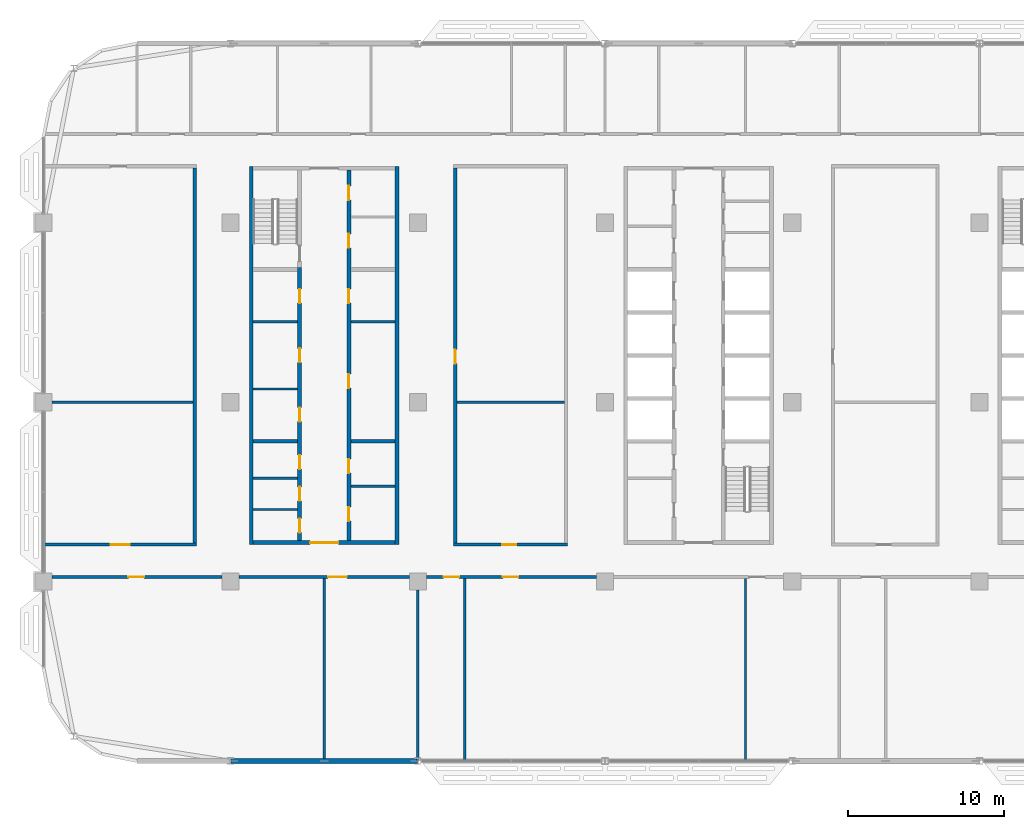
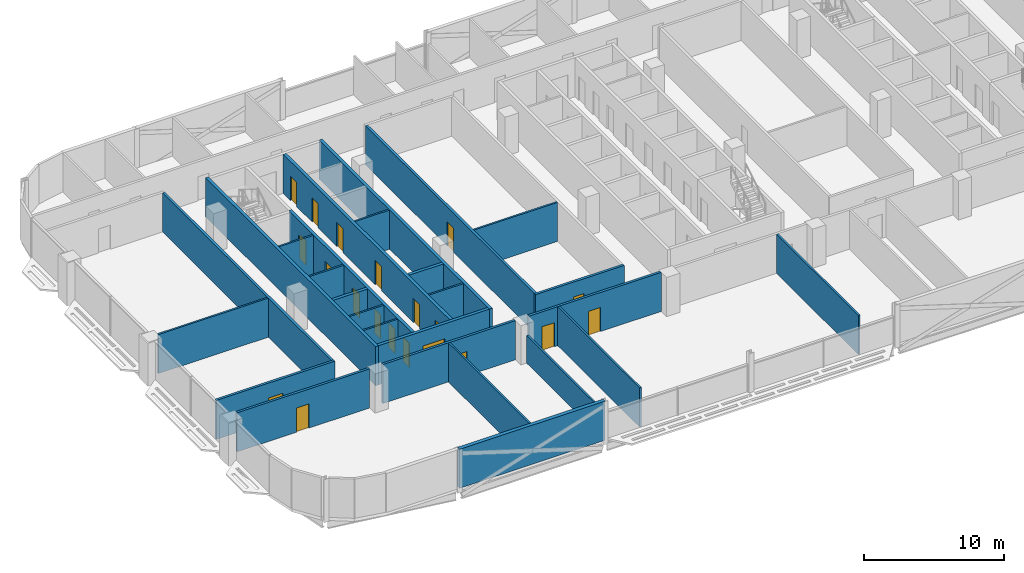
# One storey, part 13 of 30: 27 walls, 20 doors, 20 openings.
"""IFC4 building model written with IfcOpenShell, lengths in metres."""

from ifc_helpers import new_model, si_unit, direction, frame, frame_2d, origin, place, context, subcontext, project, spatial, rectangle, extrude, material, layer, layer_set, type_object, element, fill, save


model = new_model("IFC4")

# Units and contexts
model_context = context("Model", 3, precision=1e-05, world=origin(), true_north=direction((0.0, 1.0)))
body_context = subcontext(model_context, "Body", "Model", "MODEL_VIEW")
ifc_project = project(units=[si_unit("LENGTHUNIT", "METRE"), si_unit("AREAUNIT", "SQUARE_METRE"), si_unit("VOLUMEUNIT", "CUBIC_METRE"), si_unit("PLANEANGLEUNIT", "RADIAN"), si_unit("MASSUNIT", "GRAM", prefix="KILO")], contexts=[model_context])

# Site, building, storey
site_placement = place(None, origin())
site = spatial("IfcSite", under=ifc_project, at=site_placement, CompositionType="ELEMENT")
building_placement = place(site_placement, origin())
building = spatial("IfcBuilding", under=site, at=building_placement, Name="Mahtab Terrace Research Tower", CompositionType="ELEMENT")
storey_placement = place(building_placement, frame((0.0, 0.0, 220.5)))
storey = spatial("IfcBuildingStorey", under=building, at=storey_placement, Name="L53", CompositionType="ELEMENT", Elevation=220.5)

# Walls
ifc_material_1 = material(Name="Gypsum board partition")
ifc_layer_1 = layer(ifc_material_1, 0.14990234375)
ifc_layer_set_1 = layer_set([ifc_layer_1], Name="Core partition 150")
wall_type_1 = type_object("IfcWallType", Name="Core partition 150", PredefinedType="PARTITIONING", material=ifc_layer_set_1)
for number, where, z_axis, x_axis, name in (
    (1, (-28.550048828125, 0.85009765625, 0.0), (0.0, 0.0, 1.0), (1.0, 0.0, 0.0), "Core wall A pWL-215"),
    (2, (-28.550048828125, 5.14990234375, 0.0), (0.0, 0.0, 1.0), (1.0, 0.0, 0.0), "Core wall A pWL215"),
    (3, (-22.300048828125, 5.14990234375, 0.0), (0.0, 0.0, 1.0), (1.0, 0.0, 0.0), "Core wall A pEL215"),
    (4, (-28.550048828125, -6.875, 0.0), (0.0, 0.0, 1.0), (1.0, 0.0, 0.0), "Core wall A pWS-988"),
    (5, (-28.550048828125, -4.875, 0.0), (0.0, 0.0, 1.0), (1.0, 0.0, 0.0), "Core wall A pWS-788"),
    (6, (-22.300048828125, -5.39501953125, 0.0), (0.0, 0.0, 1.0), (1.0, 0.0, 0.0), "Core wall A pES-840"),
):
    element("IfcWall", number, at=place(storey_placement, frame(where, z_axis=z_axis, x_axis=x_axis)), inside=storey, type_object=wall_type_1, Name=name, PredefinedType="PARTITIONING", context=body_context, shape_type="SweptSolid", body=[
        extrude(rectangle(XDim=2.85009765625, YDim=0.14990234375, at=frame_2d((1.425048828125, 0.0))), origin(), (0.0, 0.0, 1.0), 3.39990234375),
    ])
ifc_material_2 = material(Name="Concrete C70/85", Category="concrete")
ifc_layer_2 = layer(ifc_material_2, 0.25)
ifc_layer_set_2 = layer_set([ifc_layer_2], Name="Core wall 250")
wall_type_2 = type_object("IfcWallType", Name="Core wall 250", PredefinedType="SOLIDWALL", material=ifc_layer_set_2)
for number, where, z_axis, x_axis, name in (
    (7, (-28.675048828125, 15.125, 0.0), (0.0, 0.0, 1.0), (0.0, -1.0, 0.0), "Core wall A outerW"),
    (8, (-19.324951171875, -9.125, 0.0), (0.0, 0.0, 1.0), (0.0, 1.0, 0.0), "Core wall A outerE"),
):
    element("IfcWall", number, at=place(storey_placement, frame(where, z_axis=z_axis, x_axis=x_axis)), inside=storey, type_object=wall_type_2, Name=name, PredefinedType="SOLIDWALL", context=body_context, shape_type="SweptSolid", body=[
        extrude(rectangle(XDim=24.25, YDim=0.25, at=frame_2d((12.125, 0.0))), origin(), (0.0, 0.0, 1.0), 3.39990234375),
    ])

# Wall, opening, door
wall_1_placement = place(storey_placement, frame((-19.449951171875, -9.0, 0.0), z_axis=(0.0, 0.0, 1.0), x_axis=(-1.0, 0.0, 0.0)))
wall_1 = element("IfcWall", 9, at=wall_1_placement, inside=storey, type_object=wall_type_2, Name="Core wall A endS", PredefinedType="SOLIDWALL", context=body_context, shape_type="SweptSolid", body=[
    extrude(rectangle(XDim=9.10009765625, YDim=0.25, at=frame_2d((4.550048828125, 0.0))), origin(), (0.0, 0.0, 1.0), 3.39990234375),
])
opening_1_placement = place(wall_1_placement, frame((3.64990234375, 0.0, 0.0)))
opening_1 = element("IfcOpeningElement", 10, at=opening_1_placement, cuts=wall_1, Name="Opening A-S1", PredefinedType="OPENING", context=body_context, shape_type="SweptSolid", body=[
    extrude(rectangle(XDim=1.800048828125, YDim=2.10009765625, at=frame_2d((0.89990234375, 1.050048828125))), frame((0.0, 0.135009765625, 0.0), z_axis=(0.0, -1.0, 0.0), x_axis=(1.0, 0.0, 0.0)), (0.0, 0.0, 1.0), 0.27001953125),
])
ifc_material_3 = material(Name="Steel fire door", Category="steel")
door_type_1 = type_object("IfcDoorType", Name="Lobby double door 1800x2100 1 HR", OperationType="DOUBLE_DOOR_SINGLE_SWING", PredefinedType="DOOR", material=ifc_material_3)
door_1_placement = place(opening_1_placement, origin())
door_1 = element("IfcDoor", 11, at=door_1_placement, inside=storey, type_object=door_type_1, Name="Core entrance door A S", OperationType="DOUBLE_DOOR_SINGLE_SWING", OverallHeight=2.10009765625, OverallWidth=1.800048828125, PredefinedType="DOOR", context=body_context, shape_type="SweptSolid", body=[
    extrude(rectangle(XDim=1.800048828125, YDim=2.10009765625, at=frame_2d((0.89990234375, 1.050048828125))), frame((0.0, 0.02490234375, 0.0), z_axis=(0.0, -1.0, 0.0), x_axis=(1.0, 0.0, 0.0)), (0.0, 0.0, 1.0), 0.050048828125),
])
fill(opening_1, door_1)

# Wall, openings, doors
wall_2_placement = place(storey_placement, frame((-25.574951171875, -8.875, 0.0), z_axis=(0.0, 0.0, 1.0), x_axis=(0.0, 1.0, 0.0)))
wall_2 = element("IfcWall", 12, at=wall_2_placement, inside=storey, type_object=wall_type_2, Name="Core wall A innerWSL", PredefinedType="SOLIDWALL", context=body_context, shape_type="SweptSolid", body=[
    extrude(rectangle(XDim=17.5, YDim=0.25, at=frame_2d((8.75, 0.0))), origin(), (0.0, 0.0, 1.0), 3.39990234375),
])
opening_2_placement = place(wall_2_placement, frame((7.625, 0.0, 0.0)))
opening_2 = element("IfcOpeningElement", 13, at=opening_2_placement, cuts=wall_2, Name="Opening A-R1", PredefinedType="OPENING", context=body_context, shape_type="SweptSolid", body=[
    extrude(rectangle(XDim=0.89990234375, YDim=2.10009765625, at=frame_2d((0.449951171875, 1.050048828125))), frame((0.0, 0.135009765625, 0.0), z_axis=(0.0, -1.0, 0.0), x_axis=(1.0, 0.0, 0.0)), (0.0, 0.0, 1.0), 0.27001953125),
])
opening_3_placement = place(wall_2_placement, frame((11.425048828125, 0.0, 0.0)))
opening_3 = element("IfcOpeningElement", 14, at=opening_3_placement, cuts=wall_2, Name="Opening A-R2", PredefinedType="OPENING", context=body_context, shape_type="SweptSolid", body=[
    extrude(rectangle(XDim=0.89990234375, YDim=2.10009765625, at=frame_2d((0.449951171875, 1.050048828125))), frame((0.0, 0.135009765625, 0.0), z_axis=(0.0, -1.0, 0.0), x_axis=(1.0, 0.0, 0.0)), (0.0, 0.0, 1.0), 0.27001953125),
])
opening_4_placement = place(wall_2_placement, frame((15.22509765625, 0.0, 0.0)))
opening_4 = element("IfcOpeningElement", 15, at=opening_4_placement, cuts=wall_2, Name="Opening A-R3", PredefinedType="OPENING", context=body_context, shape_type="SweptSolid", body=[
    extrude(rectangle(XDim=0.89990234375, YDim=2.10009765625, at=frame_2d((0.449951171875, 1.050048828125))), frame((0.0, 0.135009765625, 0.0), z_axis=(0.0, -1.0, 0.0), x_axis=(1.0, 0.0, 0.0)), (0.0, 0.0, 1.0), 0.27001953125),
])
opening_5_placement = place(wall_2_placement, frame((0.512451171875, 0.0, 0.0)))
opening_5 = element("IfcOpeningElement", 16, at=opening_5_placement, cuts=wall_2, Name="Opening A-R6", PredefinedType="OPENING", context=body_context, shape_type="SweptSolid", body=[
    extrude(rectangle(XDim=0.89990234375, YDim=2.10009765625, at=frame_2d((0.449951171875, 1.050048828125))), frame((0.0, 0.135009765625, 0.0), z_axis=(0.0, -1.0, 0.0), x_axis=(1.0, 0.0, 0.0)), (0.0, 0.0, 1.0), 0.27001953125),
])
opening_6_placement = place(wall_2_placement, frame((2.550048828125, 0.0, 0.0)))
opening_6 = element("IfcOpeningElement", 17, at=opening_6_placement, cuts=wall_2, Name="Opening A-R7", PredefinedType="OPENING", context=body_context, shape_type="SweptSolid", body=[
    extrude(rectangle(XDim=0.89990234375, YDim=2.10009765625, at=frame_2d((0.449951171875, 1.050048828125))), frame((0.0, 0.135009765625, 0.0), z_axis=(0.0, -1.0, 0.0), x_axis=(1.0, 0.0, 0.0)), (0.0, 0.0, 1.0), 0.27001953125),
])
opening_7_placement = place(wall_2_placement, frame((4.58740234375, 0.0, 0.0)))
opening_7 = element("IfcOpeningElement", 18, at=opening_7_placement, cuts=wall_2, Name="Opening A-R8", PredefinedType="OPENING", context=body_context, shape_type="SweptSolid", body=[
    extrude(rectangle(XDim=0.89990234375, YDim=2.10009765625, at=frame_2d((0.449951171875, 1.050048828125))), frame((0.0, 0.135009765625, 0.0), z_axis=(0.0, -1.0, 0.0), x_axis=(1.0, 0.0, 0.0)), (0.0, 0.0, 1.0), 0.27001953125),
])
door_type_2 = type_object("IfcDoorType", Name="Room door 900x2100 1 HR", OperationType="NOTDEFINED", PredefinedType="DOOR", material=ifc_material_3)
door_2_placement = place(opening_2_placement, origin())
door_2 = element("IfcDoor", 19, at=door_2_placement, inside=storey, type_object=door_type_2, Name="Electrical room door", OperationType="SINGLE_SWING_LEFT", OverallHeight=2.10009765625, OverallWidth=0.89990234375, PredefinedType="DOOR", context=body_context, shape_type="SweptSolid", body=[
    extrude(rectangle(XDim=0.89990234375, YDim=2.10009765625, at=frame_2d((0.449951171875, 1.050048828125))), frame((0.0, 0.02490234375, 0.0), z_axis=(0.0, -1.0, 0.0), x_axis=(1.0, 0.0, 0.0)), (0.0, 0.0, 1.0), 0.050048828125),
])
fill(opening_2, door_2)
door_3_placement = place(opening_3_placement, origin())
door_3 = element("IfcDoor", 20, at=door_3_placement, inside=storey, type_object=door_type_2, Name="Pantry door", OperationType="SINGLE_SWING_RIGHT", OverallHeight=2.10009765625, OverallWidth=0.89990234375, PredefinedType="DOOR", context=body_context, shape_type="SweptSolid", body=[
    extrude(rectangle(XDim=0.89990234375, YDim=2.10009765625, at=frame_2d((0.449951171875, 1.050048828125))), frame((0.0, 0.02490234375, 0.0), z_axis=(0.0, -1.0, 0.0), x_axis=(1.0, 0.0, 0.0)), (0.0, 0.0, 1.0), 0.050048828125),
])
fill(opening_3, door_3)
door_4_placement = place(opening_4_placement, origin())
door_4 = element("IfcDoor", 21, at=door_4_placement, inside=storey, type_object=door_type_2, Name="Housekeeping store door", OperationType="SINGLE_SWING_LEFT", OverallHeight=2.10009765625, OverallWidth=0.89990234375, PredefinedType="DOOR", context=body_context, shape_type="SweptSolid", body=[
    extrude(rectangle(XDim=0.89990234375, YDim=2.10009765625, at=frame_2d((0.449951171875, 1.050048828125))), frame((0.0, 0.02490234375, 0.0), z_axis=(0.0, -1.0, 0.0), x_axis=(1.0, 0.0, 0.0)), (0.0, 0.0, 1.0), 0.050048828125),
])
fill(opening_4, door_4)
door_5_placement = place(opening_5_placement, origin())
door_5 = element("IfcDoor", 22, at=door_5_placement, inside=storey, type_object=door_type_2, Name="Male WC door", OperationType="SINGLE_SWING_RIGHT", OverallHeight=2.10009765625, OverallWidth=0.89990234375, PredefinedType="DOOR", context=body_context, shape_type="SweptSolid", body=[
    extrude(rectangle(XDim=0.89990234375, YDim=2.10009765625, at=frame_2d((0.449951171875, 1.050048828125))), frame((0.0, 0.02490234375, 0.0), z_axis=(0.0, -1.0, 0.0), x_axis=(1.0, 0.0, 0.0)), (0.0, 0.0, 1.0), 0.050048828125),
])
fill(opening_5, door_5)
door_6_placement = place(opening_6_placement, origin())
door_6 = element("IfcDoor", 23, at=door_6_placement, inside=storey, type_object=door_type_2, Name="Female WC door", OperationType="SINGLE_SWING_LEFT", OverallHeight=2.10009765625, OverallWidth=0.89990234375, PredefinedType="DOOR", context=body_context, shape_type="SweptSolid", body=[
    extrude(rectangle(XDim=0.89990234375, YDim=2.10009765625, at=frame_2d((0.449951171875, 1.050048828125))), frame((0.0, 0.02490234375, 0.0), z_axis=(0.0, -1.0, 0.0), x_axis=(1.0, 0.0, 0.0)), (0.0, 0.0, 1.0), 0.050048828125),
])
fill(opening_6, door_6)
door_7_placement = place(opening_7_placement, origin())
door_7 = element("IfcDoor", 24, at=door_7_placement, inside=storey, type_object=door_type_2, Name="Accessible WC door", OperationType="SINGLE_SWING_RIGHT", OverallHeight=2.10009765625, OverallWidth=0.89990234375, PredefinedType="DOOR", context=body_context, shape_type="SweptSolid", body=[
    extrude(rectangle(XDim=0.89990234375, YDim=2.10009765625, at=frame_2d((0.449951171875, 1.050048828125))), frame((0.0, 0.02490234375, 0.0), z_axis=(0.0, -1.0, 0.0), x_axis=(1.0, 0.0, 0.0)), (0.0, 0.0, 1.0), 0.050048828125),
])
fill(opening_7, door_7)

wall_3_placement = place(storey_placement, frame((-22.425048828125, 14.875, 0.0), z_axis=(0.0, 0.0, 1.0), x_axis=(0.0, -1.0, 0.0)))
wall_3 = element("IfcWall", 25, at=wall_3_placement, inside=storey, type_object=wall_type_2, Name="Core wall A innerESLN", PredefinedType="SOLIDWALL", context=body_context, shape_type="SweptSolid", body=[
    extrude(rectangle(XDim=23.75, YDim=0.25, at=frame_2d((11.875, 0.0))), origin(), (0.0, 0.0, 1.0), 3.39990234375),
])
opening_8_placement = place(wall_3_placement, frame((13.074951171875, 0.0, 0.0)))
opening_8 = element("IfcOpeningElement", 26, at=opening_8_placement, cuts=wall_3, Name="Opening A-R4", PredefinedType="OPENING", context=body_context, shape_type="SweptSolid", body=[
    extrude(rectangle(XDim=0.89990234375, YDim=2.10009765625, at=frame_2d((0.449951171875, 1.050048828125))), frame((0.0, 0.135009765625, 0.0), z_axis=(0.0, -1.0, 0.0), x_axis=(1.0, 0.0, 0.0)), (0.0, 0.0, 1.0), 0.27001953125),
])
opening_9_placement = place(wall_3_placement, frame((7.625, 0.0, 0.0)))
opening_9 = element("IfcOpeningElement", 27, at=opening_9_placement, cuts=wall_3, Name="Opening A-R5", PredefinedType="OPENING", context=body_context, shape_type="SweptSolid", body=[
    extrude(rectangle(XDim=0.89990234375, YDim=2.10009765625, at=frame_2d((0.449951171875, 1.050048828125))), frame((0.0, 0.135009765625, 0.0), z_axis=(0.0, -1.0, 0.0), x_axis=(1.0, 0.0, 0.0)), (0.0, 0.0, 1.0), 0.27001953125),
])
opening_10_placement = place(wall_3_placement, frame((21.597412109375, 0.0, 0.0)))
opening_10 = element("IfcOpeningElement", 28, at=opening_10_placement, cuts=wall_3, Name="Opening A-R9", PredefinedType="OPENING", context=body_context, shape_type="SweptSolid", body=[
    extrude(rectangle(XDim=0.89990234375, YDim=2.10009765625, at=frame_2d((0.449951171875, 1.050048828125))), frame((0.0, 0.135009765625, 0.0), z_axis=(0.0, -1.0, 0.0), x_axis=(1.0, 0.0, 0.0)), (0.0, 0.0, 1.0), 0.27001953125),
])
opening_11_placement = place(wall_3_placement, frame((18.5224609375, 0.0, 0.0)))
opening_11 = element("IfcOpeningElement", 29, at=opening_11_placement, cuts=wall_3, Name="Opening A-R10", PredefinedType="OPENING", context=body_context, shape_type="SweptSolid", body=[
    extrude(rectangle(XDim=0.89990234375, YDim=2.10009765625, at=frame_2d((0.449951171875, 1.050048828125))), frame((0.0, 0.135009765625, 0.0), z_axis=(0.0, -1.0, 0.0), x_axis=(1.0, 0.0, 0.0)), (0.0, 0.0, 1.0), 0.27001953125),
])
opening_12_placement = place(wall_3_placement, frame((4.08740234375, 0.0, 0.0)))
opening_12 = element("IfcOpeningElement", 30, at=opening_12_placement, cuts=wall_3, Name="Opening A-R11", PredefinedType="OPENING", context=body_context, shape_type="SweptSolid", body=[
    extrude(rectangle(XDim=0.89990234375, YDim=2.10009765625, at=frame_2d((0.449951171875, 1.050048828125))), frame((0.0, 0.135009765625, 0.0), z_axis=(0.0, -1.0, 0.0), x_axis=(1.0, 0.0, 0.0)), (0.0, 0.0, 1.0), 0.27001953125),
])
opening_13_placement = place(wall_3_placement, frame((1.012451171875, 0.0, 0.0)))
opening_13 = element("IfcOpeningElement", 31, at=opening_13_placement, cuts=wall_3, Name="Opening A-R12", PredefinedType="OPENING", context=body_context, shape_type="SweptSolid", body=[
    extrude(rectangle(XDim=0.89990234375, YDim=2.10009765625, at=frame_2d((0.449951171875, 1.050048828125))), frame((0.0, 0.135009765625, 0.0), z_axis=(0.0, -1.0, 0.0), x_axis=(1.0, 0.0, 0.0)), (0.0, 0.0, 1.0), 0.27001953125),
])
door_8_placement = place(opening_8_placement, origin())
door_8 = element("IfcDoor", 32, at=door_8_placement, inside=storey, type_object=door_type_2, Name="Chemical store door", OperationType="SINGLE_SWING_RIGHT", OverallHeight=2.10009765625, OverallWidth=0.89990234375, PredefinedType="DOOR", context=body_context, shape_type="SweptSolid", body=[
    extrude(rectangle(XDim=0.89990234375, YDim=2.10009765625, at=frame_2d((0.449951171875, 1.050048828125))), frame((0.0, 0.02490234375, 0.0), z_axis=(0.0, -1.0, 0.0), x_axis=(1.0, 0.0, 0.0)), (0.0, 0.0, 1.0), 0.050048828125),
])
fill(opening_8, door_8)
door_9_placement = place(opening_9_placement, origin())
door_9 = element("IfcDoor", 33, at=door_9_placement, inside=storey, type_object=door_type_2, Name="Waste room door", OperationType="SINGLE_SWING_LEFT", OverallHeight=2.10009765625, OverallWidth=0.89990234375, PredefinedType="DOOR", context=body_context, shape_type="SweptSolid", body=[
    extrude(rectangle(XDim=0.89990234375, YDim=2.10009765625, at=frame_2d((0.449951171875, 1.050048828125))), frame((0.0, 0.02490234375, 0.0), z_axis=(0.0, -1.0, 0.0), x_axis=(1.0, 0.0, 0.0)), (0.0, 0.0, 1.0), 0.050048828125),
])
fill(opening_9, door_9)
door_10_placement = place(opening_10_placement, origin())
door_10 = element("IfcDoor", 34, at=door_10_placement, inside=storey, type_object=door_type_2, Name="Pantry door", OperationType="SINGLE_SWING_LEFT", OverallHeight=2.10009765625, OverallWidth=0.89990234375, PredefinedType="DOOR", context=body_context, shape_type="SweptSolid", body=[
    extrude(rectangle(XDim=0.89990234375, YDim=2.10009765625, at=frame_2d((0.449951171875, 1.050048828125))), frame((0.0, 0.02490234375, 0.0), z_axis=(0.0, -1.0, 0.0), x_axis=(1.0, 0.0, 0.0)), (0.0, 0.0, 1.0), 0.050048828125),
])
fill(opening_10, door_10)
door_11_placement = place(opening_11_placement, origin())
door_11 = element("IfcDoor", 35, at=door_11_placement, inside=storey, type_object=door_type_2, Name="Linen store door", OperationType="SINGLE_SWING_RIGHT", OverallHeight=2.10009765625, OverallWidth=0.89990234375, PredefinedType="DOOR", context=body_context, shape_type="SweptSolid", body=[
    extrude(rectangle(XDim=0.89990234375, YDim=2.10009765625, at=frame_2d((0.449951171875, 1.050048828125))), frame((0.0, 0.02490234375, 0.0), z_axis=(0.0, -1.0, 0.0), x_axis=(1.0, 0.0, 0.0)), (0.0, 0.0, 1.0), 0.050048828125),
])
fill(opening_11, door_11)
door_12_placement = place(opening_12_placement, origin())
door_12 = element("IfcDoor", 36, at=door_12_placement, inside=storey, type_object=door_type_2, Name="Housekeeping store door", OperationType="SINGLE_SWING_LEFT", OverallHeight=2.10009765625, OverallWidth=0.89990234375, PredefinedType="DOOR", context=body_context, shape_type="SweptSolid", body=[
    extrude(rectangle(XDim=0.89990234375, YDim=2.10009765625, at=frame_2d((0.449951171875, 1.050048828125))), frame((0.0, 0.02490234375, 0.0), z_axis=(0.0, -1.0, 0.0), x_axis=(1.0, 0.0, 0.0)), (0.0, 0.0, 1.0), 0.050048828125),
])
fill(opening_12, door_12)
door_13_placement = place(opening_13_placement, origin())
door_13 = element("IfcDoor", 37, at=door_13_placement, inside=storey, type_object=door_type_2, Name="Electrical riser room door", OperationType="SINGLE_SWING_RIGHT", OverallHeight=2.10009765625, OverallWidth=0.89990234375, PredefinedType="DOOR", context=body_context, shape_type="SweptSolid", body=[
    extrude(rectangle(XDim=0.89990234375, YDim=2.10009765625, at=frame_2d((0.449951171875, 1.050048828125))), frame((0.0, 0.02490234375, 0.0), z_axis=(0.0, -1.0, 0.0), x_axis=(1.0, 0.0, 0.0)), (0.0, 0.0, 1.0), 0.050048828125),
])
fill(opening_13, door_13)

# Walls
for number, where, z_axis, x_axis, name in (
    (38, (-28.550048828125, -2.5, 0.0), (0.0, 0.0, 1.0), (1.0, 0.0, 0.0), "Core wall A divW0"),
    (39, (-22.300048828125, -2.5, 0.0), (0.0, 0.0, 1.0), (1.0, 0.0, 0.0), "Core wall A divE0"),
):
    element("IfcWall", number, at=place(storey_placement, frame(where, z_axis=z_axis, x_axis=x_axis)), inside=storey, type_object=wall_type_2, Name=name, PredefinedType="SOLIDWALL", context=body_context, shape_type="SweptSolid", body=[
        extrude(rectangle(XDim=2.85009765625, YDim=0.25, at=frame_2d((1.425048828125, 0.0))), origin(), (0.0, 0.0, 1.0), 3.39990234375),
    ])
ifc_material_4 = material(Name="Black aluminium cladding panel", Category="aluminium")
ifc_layer_3 = layer(ifc_material_4, 0.300048828125)
ifc_layer_set_3 = layer_set([ifc_layer_3], Name="Opaque facade wall 300")
wall_type_3 = type_object("IfcWallType", Name="Opaque facade wall 300", PredefinedType="NOTDEFINED", material=ifc_layer_set_3)
wall_4_placement = place(storey_placement, frame((-29.987548828125, -23.0, 0.0), z_axis=(0.0, 0.0, 1.0), x_axis=(1.0, 0.0, 0.0)))
element("IfcWall", 40, at=wall_4_placement, inside=storey, type_object=wall_type_3, Name="Opaque facade wall L53 S24", PredefinedType="NOTDEFINED", context=body_context, shape_type="SweptSolid", body=[
    extrude(rectangle(XDim=11.97509765625, YDim=0.300048828125, at=frame_2d((5.987548828125, 0.0))), origin(), (0.0, 0.0, 1.0), 3.39990234375),
])

# Wall, opening, door
ifc_material_5 = material(Name="Gypsum board corridor wall on steel studs", Category="steel")
ifc_layer_4 = layer(ifc_material_5, 0.199951171875)
ifc_layer_set_4 = layer_set([ifc_layer_4], Name="WALL CORRIDOR 200")
wall_type_4 = type_object("IfcWallType", Name="WALL CORRIDOR 200", PredefinedType="PARTITIONING", material=ifc_layer_set_4)
wall_5_placement = place(storey_placement, frame((-41.449951171875, -11.199951171875, 0.0), z_axis=(0.0, 0.0, 1.0), x_axis=(1.0, 0.0, 0.0)))
wall_5 = element("IfcWall", 41, at=wall_5_placement, inside=storey, type_object=wall_type_4, Name="L53-W001", PredefinedType="PARTITIONING", context=body_context, shape_type="SweptSolid", body=[
    extrude(rectangle(XDim=10.89990234375, YDim=0.199951171875, at=frame_2d((5.449951171875, 0.0))), origin(), (0.0, 0.0, 1.0), 3.39990234375),
])
opening_14_placement = place(wall_5_placement, frame((4.89990234375, 0.0, 0.0)))
opening_14 = element("IfcOpeningElement", 42, at=opening_14_placement, cuts=wall_5, Name="Opening L53-101", PredefinedType="OPENING", context=body_context, shape_type="SweptSolid", body=[
    extrude(rectangle(XDim=1.0, YDim=2.10009765625, at=frame_2d((0.5, 1.050048828125))), frame((0.0, 0.10986328125, 0.0), z_axis=(0.0, -1.0, 0.0), x_axis=(1.0, 0.0, 0.0)), (0.0, 0.0, 1.0), 0.219970703125),
])
ifc_material_6 = material(Name="Timber door leaf in steel frame", Category="steel")
door_type_3 = type_object("IfcDoorType", Name="DOOR 1000X2100 FD30S", OperationType="SINGLE_SWING_LEFT", PredefinedType="DOOR", material=ifc_material_6)
door_14_placement = place(opening_14_placement, origin())
door_14 = element("IfcDoor", 43, at=door_14_placement, inside=storey, type_object=door_type_3, Name="Door L53-101", OperationType="SINGLE_SWING_RIGHT", OverallHeight=2.10009765625, OverallWidth=1.0, PredefinedType="DOOR", context=body_context, shape_type="SweptSolid", body=[
    extrude(rectangle(XDim=1.0, YDim=2.10009765625, at=frame_2d((0.5, 1.050048828125))), frame((0.0, 0.02490234375, 0.0), z_axis=(0.0, -1.0, 0.0), x_axis=(1.0, 0.0, 0.0)), (0.0, 0.0, 1.0), 0.050048828125),
])
fill(opening_14, door_14)

wall_6_placement = place(storey_placement, frame((-29.449951171875, -11.199951171875, 0.0), z_axis=(0.0, 0.0, 1.0), x_axis=(1.0, 0.0, 0.0)))
wall_6 = element("IfcWall", 44, at=wall_6_placement, inside=storey, type_object=wall_type_4, Name="L53-W002", PredefinedType="PARTITIONING", context=body_context, shape_type="SweptSolid", body=[
    extrude(rectangle(XDim=10.89990234375, YDim=0.199951171875, at=frame_2d((5.449951171875, 0.0))), origin(), (0.0, 0.0, 1.0), 3.39990234375),
])
opening_15_placement = place(wall_6_placement, frame((5.699951171875, 0.0, 0.0)))
opening_15 = element("IfcOpeningElement", 45, at=opening_15_placement, cuts=wall_6, Name="Opening L53-102", PredefinedType="OPENING", context=body_context, shape_type="SweptSolid", body=[
    extrude(rectangle(XDim=1.199951171875, YDim=2.10009765625, at=frame_2d((0.60009765625, 1.050048828125))), frame((0.0, 0.10986328125, 0.0), z_axis=(0.0, -1.0, 0.0), x_axis=(1.0, 0.0, 0.0)), (0.0, 0.0, 1.0), 0.219970703125),
])
door_type_4 = type_object("IfcDoorType", Name="DOOR 1200X2100 FD30S", OperationType="SINGLE_SWING_LEFT", PredefinedType="DOOR", material=ifc_material_6)
door_15_placement = place(opening_15_placement, origin())
door_15 = element("IfcDoor", 46, at=door_15_placement, inside=storey, type_object=door_type_4, Name="Door L53-102", OperationType="SINGLE_SWING_LEFT", OverallHeight=2.10009765625, OverallWidth=1.199951171875, PredefinedType="DOOR", context=body_context, shape_type="SweptSolid", body=[
    extrude(rectangle(XDim=1.199951171875, YDim=2.10009765625, at=frame_2d((0.60009765625, 1.050048828125))), frame((0.0, 0.02490234375, 0.0), z_axis=(0.0, -1.0, 0.0), x_axis=(1.0, 0.0, 0.0)), (0.0, 0.0, 1.0), 0.050048828125),
])
fill(opening_15, door_15)

# Wall, openings, doors
wall_7_placement = place(storey_placement, frame((-17.449951171875, -11.199951171875, 0.0), z_axis=(0.0, 0.0, 1.0), x_axis=(1.0, 0.0, 0.0)))
wall_7 = element("IfcWall", 47, at=wall_7_placement, inside=storey, type_object=wall_type_4, Name="L53-W003", PredefinedType="PARTITIONING", context=body_context, shape_type="SweptSolid", body=[
    extrude(rectangle(XDim=10.89990234375, YDim=0.199951171875, at=frame_2d((5.449951171875, 0.0))), origin(), (0.0, 0.0, 1.0), 3.39990234375),
])
opening_16_placement = place(wall_7_placement, frame((1.10009765625, 0.0, 0.0)))
opening_16 = element("IfcOpeningElement", 48, at=opening_16_placement, cuts=wall_7, Name="Opening L53-103", PredefinedType="OPENING", context=body_context, shape_type="SweptSolid", body=[
    extrude(rectangle(XDim=1.0, YDim=2.10009765625, at=frame_2d((0.5, 1.050048828125))), frame((0.0, 0.10986328125, 0.0), z_axis=(0.0, -1.0, 0.0), x_axis=(1.0, 0.0, 0.0)), (0.0, 0.0, 1.0), 0.219970703125),
])
opening_17_placement = place(wall_7_placement, frame((4.89990234375, 0.0, 0.0)))
opening_17 = element("IfcOpeningElement", 49, at=opening_17_placement, cuts=wall_7, Name="Opening L53-104", PredefinedType="OPENING", context=body_context, shape_type="SweptSolid", body=[
    extrude(rectangle(XDim=1.0, YDim=2.10009765625, at=frame_2d((0.5, 1.050048828125))), frame((0.0, 0.10986328125, 0.0), z_axis=(0.0, -1.0, 0.0), x_axis=(1.0, 0.0, 0.0)), (0.0, 0.0, 1.0), 0.219970703125),
])
door_16_placement = place(opening_16_placement, origin())
door_16 = element("IfcDoor", 50, at=door_16_placement, inside=storey, type_object=door_type_3, Name="Door L53-103", OperationType="SINGLE_SWING_RIGHT", OverallHeight=2.10009765625, OverallWidth=1.0, PredefinedType="DOOR", context=body_context, shape_type="SweptSolid", body=[
    extrude(rectangle(XDim=1.0, YDim=2.10009765625, at=frame_2d((0.5, 1.050048828125))), frame((0.0, 0.02490234375, 0.0), z_axis=(0.0, -1.0, 0.0), x_axis=(1.0, 0.0, 0.0)), (0.0, 0.0, 1.0), 0.050048828125),
])
fill(opening_16, door_16)
door_17_placement = place(opening_17_placement, origin())
door_17 = element("IfcDoor", 51, at=door_17_placement, inside=storey, type_object=door_type_3, Name="Door L53-104", OperationType="SINGLE_SWING_RIGHT", OverallHeight=2.10009765625, OverallWidth=1.0, PredefinedType="DOOR", context=body_context, shape_type="SweptSolid", body=[
    extrude(rectangle(XDim=1.0, YDim=2.10009765625, at=frame_2d((0.5, 1.050048828125))), frame((0.0, 0.02490234375, 0.0), z_axis=(0.0, -1.0, 0.0), x_axis=(1.0, 0.0, 0.0)), (0.0, 0.0, 1.0), 0.050048828125),
])
fill(opening_17, door_17)

# Wall, opening, door
wall_8_placement = place(storey_placement, frame((-41.97509765625, -9.125, 0.0), z_axis=(0.0, 0.0, 1.0), x_axis=(1.0, 0.0, 0.0)))
wall_8 = element("IfcWall", 52, at=wall_8_placement, inside=storey, type_object=wall_type_4, Name="L53-W009", PredefinedType="PARTITIONING", context=body_context, shape_type="SweptSolid", body=[
    extrude(rectangle(XDim=9.775146484375, YDim=0.199951171875, at=frame_2d((4.8876953125, 0.0))), origin(), (0.0, 0.0, 1.0), 3.39990234375),
])
opening_18_placement = place(wall_8_placement, frame((4.300048828125, 0.0, 0.0)))
opening_18 = element("IfcOpeningElement", 53, at=opening_18_placement, cuts=wall_8, Name="Opening L53-111", PredefinedType="OPENING", context=body_context, shape_type="SweptSolid", body=[
    extrude(rectangle(XDim=1.199951171875, YDim=2.10009765625, at=frame_2d((0.60009765625, 1.050048828125))), frame((0.0, 0.10986328125, 0.0), z_axis=(0.0, -1.0, 0.0), x_axis=(1.0, 0.0, 0.0)), (0.0, 0.0, 1.0), 0.219970703125),
])
door_18_placement = place(opening_18_placement, origin())
door_18 = element("IfcDoor", 54, at=door_18_placement, inside=storey, type_object=door_type_4, Name="Door L53-111", OperationType="SINGLE_SWING_RIGHT", OverallHeight=2.10009765625, OverallWidth=1.199951171875, PredefinedType="DOOR", context=body_context, shape_type="SweptSolid", body=[
    extrude(rectangle(XDim=1.199951171875, YDim=2.10009765625, at=frame_2d((0.60009765625, 1.050048828125))), frame((0.0, 0.02490234375, 0.0), z_axis=(0.0, -1.0, 0.0), x_axis=(1.0, 0.0, 0.0)), (0.0, 0.0, 1.0), 0.050048828125),
])
fill(opening_18, door_18)

wall_9_placement = place(storey_placement, frame((-15.699951171875, -9.125, 0.0), z_axis=(0.0, 0.0, 1.0), x_axis=(1.0, 0.0, 0.0)))
wall_9 = element("IfcWall", 55, at=wall_9_placement, inside=storey, type_object=wall_type_4, Name="L53-W010", PredefinedType="PARTITIONING", context=body_context, shape_type="SweptSolid", body=[
    extrude(rectangle(XDim=7.300048828125, YDim=0.199951171875, at=frame_2d((3.64990234375, 0.0))), origin(), (0.0, 0.0, 1.0), 3.39990234375),
])
opening_19_placement = place(wall_9_placement, frame((3.10009765625, 0.0, 0.0)))
opening_19 = element("IfcOpeningElement", 56, at=opening_19_placement, cuts=wall_9, Name="Opening L53-112", PredefinedType="OPENING", context=body_context, shape_type="SweptSolid", body=[
    extrude(rectangle(XDim=0.89990234375, YDim=2.10009765625, at=frame_2d((0.449951171875, 1.050048828125))), frame((0.0, 0.10986328125, 0.0), z_axis=(0.0, -1.0, 0.0), x_axis=(1.0, 0.0, 0.0)), (0.0, 0.0, 1.0), 0.219970703125),
])
door_type_5 = type_object("IfcDoorType", Name="DOOR 0900X2100 FD30S", OperationType="SINGLE_SWING_LEFT", PredefinedType="DOOR", material=ifc_material_6)
door_19_placement = place(opening_19_placement, origin())
door_19 = element("IfcDoor", 57, at=door_19_placement, inside=storey, type_object=door_type_5, Name="Door L53-112", OperationType="SINGLE_SWING_LEFT", OverallHeight=2.10009765625, OverallWidth=0.89990234375, PredefinedType="DOOR", context=body_context, shape_type="SweptSolid", body=[
    extrude(rectangle(XDim=0.89990234375, YDim=2.10009765625, at=frame_2d((0.449951171875, 1.050048828125))), frame((0.0, 0.02490234375, 0.0), z_axis=(0.0, -1.0, 0.0), x_axis=(1.0, 0.0, 0.0)), (0.0, 0.0, 1.0), 0.050048828125),
])
fill(opening_19, door_19)

# Wall
wall_10_placement = place(storey_placement, frame((-32.300048828125, -9.02490234375, 0.0), z_axis=(0.0, 0.0, 1.0), x_axis=(0.0, 1.0, 0.0)))
element("IfcWall", 58, at=wall_10_placement, inside=storey, type_object=wall_type_4, Name="L53-W025", PredefinedType="PARTITIONING", context=body_context, shape_type="SweptSolid", body=[
    extrude(rectangle(XDim=24.0498046875, YDim=0.199951171875, at=frame_2d((12.02490234375, 0.0))), origin(), (0.0, 0.0, 1.0), 3.39990234375),
])

# Wall, opening, door
wall_11_placement = place(storey_placement, frame((-15.60009765625, -9.02490234375, 0.0), z_axis=(0.0, 0.0, 1.0), x_axis=(0.0, 1.0, 0.0)))
wall_11 = element("IfcWall", 59, at=wall_11_placement, inside=storey, type_object=wall_type_4, Name="L53-W030", PredefinedType="PARTITIONING", context=body_context, shape_type="SweptSolid", body=[
    extrude(rectangle(XDim=24.0498046875, YDim=0.199951171875, at=frame_2d((12.02490234375, 0.0))), origin(), (0.0, 0.0, 1.0), 3.39990234375),
])
opening_20_placement = place(wall_11_placement, frame((11.5, 0.0, 0.0)))
opening_20 = element("IfcOpeningElement", 60, at=opening_20_placement, cuts=wall_11, Name="Opening L53-117", PredefinedType="OPENING", context=body_context, shape_type="SweptSolid", body=[
    extrude(rectangle(XDim=0.89990234375, YDim=2.10009765625, at=frame_2d((0.449951171875, 1.050048828125))), frame((0.0, 0.10986328125, 0.0), z_axis=(0.0, -1.0, 0.0), x_axis=(1.0, 0.0, 0.0)), (0.0, 0.0, 1.0), 0.219970703125),
])
door_20_placement = place(opening_20_placement, origin())
door_20 = element("IfcDoor", 61, at=door_20_placement, inside=storey, type_object=door_type_5, Name="Door L53-117", OperationType="SINGLE_SWING_RIGHT", OverallHeight=2.10009765625, OverallWidth=0.89990234375, PredefinedType="DOOR", context=body_context, shape_type="SweptSolid", body=[
    extrude(rectangle(XDim=0.89990234375, YDim=2.10009765625, at=frame_2d((0.449951171875, 1.050048828125))), frame((0.0, 0.02490234375, 0.0), z_axis=(0.0, -1.0, 0.0), x_axis=(1.0, 0.0, 0.0)), (0.0, 0.0, 1.0), 0.050048828125),
])
fill(opening_20, door_20)

# Walls
ifc_material_7 = material(Name="Gypsum board partition on steel studs", Category="steel")
ifc_layer_5 = layer(ifc_material_7, 0.14990234375)
ifc_layer_set_5 = layer_set([ifc_layer_5], Name="WALL PARTITION 150")
wall_type_5 = type_object("IfcWallType", Name="WALL PARTITION 150", PredefinedType="PARTITIONING", material=ifc_layer_set_5)
wall_12_placement = place(storey_placement, frame((-41.449951171875, 0.0, 0.0), z_axis=(0.0, 0.0, 1.0), x_axis=(1.0, 0.0, 0.0)))
element("IfcWall", 62, at=wall_12_placement, inside=storey, type_object=wall_type_5, Name="L53-W013", PredefinedType="PARTITIONING", context=body_context, shape_type="SweptSolid", body=[
    extrude(rectangle(XDim=9.050048828125, YDim=0.14990234375, at=frame_2d((4.52490234375, 0.0))), origin(), (0.0, 0.0, 1.0), 3.39990234375),
])
wall_13_placement = place(storey_placement, frame((-15.5, 0.0, 0.0), z_axis=(0.0, 0.0, 1.0), x_axis=(1.0, 0.0, 0.0)))
element("IfcWall", 63, at=wall_13_placement, inside=storey, type_object=wall_type_5, Name="L53-W014", PredefinedType="PARTITIONING", context=body_context, shape_type="SweptSolid", body=[
    extrude(rectangle(XDim=6.89990234375, YDim=0.14990234375, at=frame_2d((3.449951171875, 0.0))), origin(), (0.0, 0.0, 1.0), 3.39990234375),
])
wall_14_placement = place(storey_placement, frame((-24.0, -22.85009765625, 0.0), z_axis=(0.0, 0.0, 1.0), x_axis=(0.0, 1.0, 0.0)))
element("IfcWall", 64, at=wall_14_placement, inside=storey, type_object=wall_type_5, Name="L53-W027", PredefinedType="PARTITIONING", context=body_context, shape_type="SweptSolid", body=[
    extrude(rectangle(XDim=11.550048828125, YDim=0.14990234375, at=frame_2d((5.77490234375, 0.0))), origin(), (0.0, 0.0, 1.0), 3.39990234375),
])
wall_15_placement = place(storey_placement, frame((-18.0, -22.97509765625, 0.0), z_axis=(0.0, 0.0, 1.0), x_axis=(0.0, 1.0, 0.0)))
element("IfcWall", 65, at=wall_15_placement, inside=storey, type_object=wall_type_5, Name="L53-W029", PredefinedType="PARTITIONING", context=body_context, shape_type="SweptSolid", body=[
    extrude(rectangle(XDim=10.925048828125, YDim=0.14990234375, at=frame_2d((5.46240234375, 0.0))), origin(), (0.0, 0.0, 1.0), 2.401123046875),
])
for number, where, z_axis, x_axis, name in (
    (66, (-15.0, -22.97509765625, 0.0), (0.0, 0.0, 1.0), (0.0, 1.0, 0.0), "L53-W031"),
    (67, (3.0, -22.97509765625, 0.0), (0.0, 0.0, 1.0), (0.0, 1.0, 0.0), "L53-W037"),
):
    element("IfcWall", number, at=place(storey_placement, frame(where, z_axis=z_axis, x_axis=x_axis)), inside=storey, type_object=wall_type_5, Name=name, PredefinedType="PARTITIONING", context=body_context, shape_type="SweptSolid", body=[
        extrude(rectangle(XDim=11.675048828125, YDim=0.14990234375, at=frame_2d((5.83740234375, 0.0))), origin(), (0.0, 0.0, 1.0), 3.39990234375),
    ])

save(model, "model.ifc")
